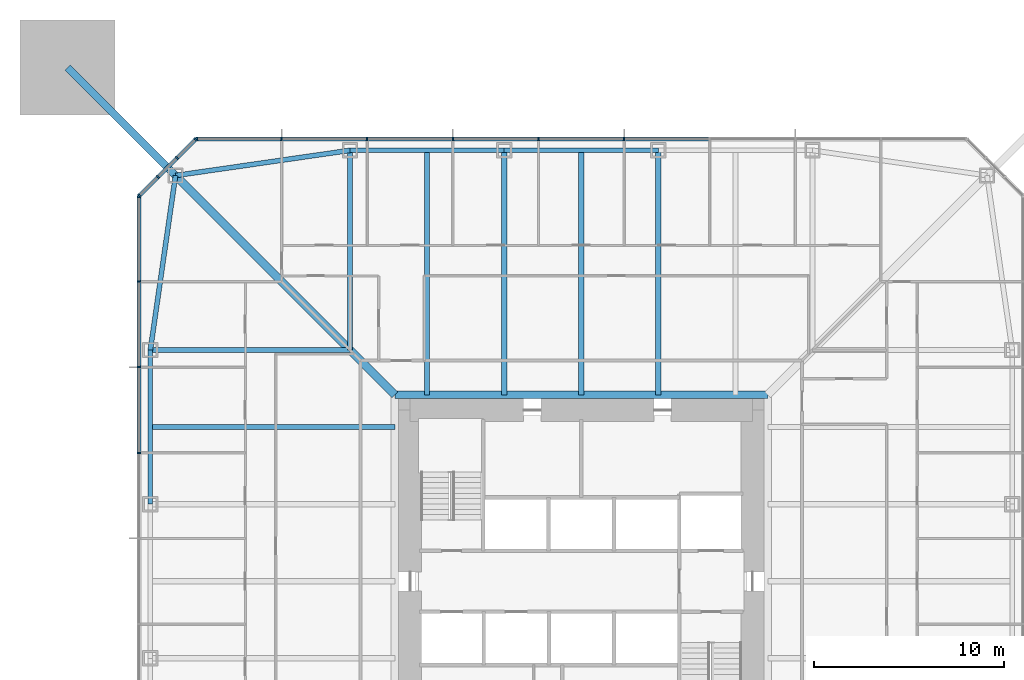
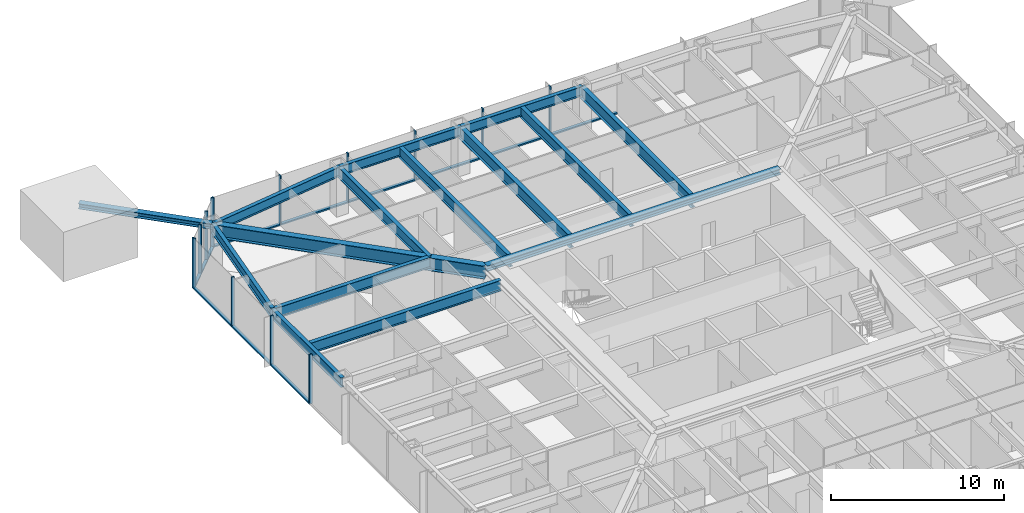
# One storey, part 6 of 26: 27 members, 14 beams, 3 elements without a shape of their own.
"""IFC4 building model written with IfcOpenShell, lengths in metres."""

from ifc_helpers import new_model, si_unit, direction, frame, origin, origin_2d, place, context, subcontext, project, spatial, rectangle, i_section, extrude, material, material_profile, profile_set, type_object, element, aggregate, save


model = new_model("IFC4")

# Units and contexts
model_context = context("Model", 3, precision=1e-05, world=origin(), true_north=direction((0.0, 1.0)))
body_context = subcontext(model_context, "Body", "Model", "MODEL_VIEW")
ifc_project = project(units=[si_unit("LENGTHUNIT", "METRE"), si_unit("AREAUNIT", "SQUARE_METRE"), si_unit("VOLUMEUNIT", "CUBIC_METRE"), si_unit("PLANEANGLEUNIT", "RADIAN"), si_unit("MASSUNIT", "GRAM", prefix="KILO")], contexts=[model_context])

# Site, building, storey
site_placement = place(None, origin())
site = spatial("IfcSite", under=ifc_project, at=site_placement, CompositionType="ELEMENT")
building_placement = place(site_placement, origin())
building = spatial("IfcBuilding", under=site, at=building_placement, Name="Iwan Alto Co-Living Towers", CompositionType="ELEMENT")
storey_placement = place(building_placement, frame((0.0, 0.0, 18.5)))
storey = spatial("IfcBuildingStorey", under=building, at=storey_placement, Name="L04", CompositionType="ELEMENT", Elevation=18.5)

# Curtain wall, members
ifc_material_1 = material(Name="Bronze aluminium unitised frame", Category="aluminium")
curtain_wall_type_1 = type_object("IfcCurtainWallType", Name="CURTAIN WALL CW-A", PredefinedType="NOTDEFINED", material=ifc_material_1)
curtain_wall_1_placement = place(storey_placement, origin())
curtain_wall_1 = element("IfcCurtainWall", 1, at=curtain_wall_1_placement, inside=storey, type_object=curtain_wall_type_1, Name="T1 curtain wall N L04", PredefinedType="NOTDEFINED")
ifc_material_2 = material(Name="Aluminium 6063-T6 bronze anodised", Category="aluminium")
ifc_material_profile_1 = material_profile(ifc_material_2, rectangle(XDim=0.199951171875, YDim=0.080078125, at=origin_2d()), Name="AL 80X200")
ifc_profile_set_1 = profile_set([ifc_material_profile_1], Name="Aluminium 6063-T6 bronze anodised")
member_type_1 = type_object("IfcMemberType", Name="CW-A MULLION 80X200", PredefinedType="MULLION", material=ifc_profile_set_1)
member_1_placement = place(storey_placement, frame((2.25, 23.25, 0.0), z_axis=(0.0, 0.0, 1.0), x_axis=(0.0, -1.0, 0.0)))
member_1 = element("IfcMember", 2, at=member_1_placement, type_object=member_type_1, Name="CW-A mullion 5", PredefinedType="MULLION", context=body_context, shape_type="SweptSolid", body=[
    extrude(rectangle(XDim=0.199951171875, YDim=0.080078125, at=origin_2d()), origin(), (0.0, 0.0, 1.0), 3.5),
])
member_2_placement = place(storey_placement, frame((-2.25, 23.25, 0.0), z_axis=(0.0, 0.0, 1.0), x_axis=(0.0, -1.0, 0.0)))
member_2 = element("IfcMember", 3, at=member_2_placement, type_object=member_type_1, Name="CW-A mullion 6", PredefinedType="MULLION", context=body_context, shape_type="SweptSolid", body=[
    extrude(rectangle(XDim=0.199951171875, YDim=0.080078125, at=origin_2d()), origin(), (0.0, 0.0, 1.0), 3.5),
])
member_3_placement = place(storey_placement, frame((-6.75, 23.25, 0.0), z_axis=(0.0, 0.0, 1.0), x_axis=(0.0, -1.0, 0.0)))
member_3 = element("IfcMember", 4, at=member_3_placement, type_object=member_type_1, Name="CW-A mullion 7", PredefinedType="MULLION", context=body_context, shape_type="SweptSolid", body=[
    extrude(rectangle(XDim=0.199951171875, YDim=0.080078125, at=origin_2d()), origin(), (0.0, 0.0, 1.0), 3.5),
])
member_4_placement = place(storey_placement, frame((-11.25, 23.25, 0.0), z_axis=(0.0, 0.0, 1.0), x_axis=(0.0, -1.0, 0.0)))
member_4 = element("IfcMember", 5, at=member_4_placement, type_object=member_type_1, Name="CW-A mullion 8", PredefinedType="MULLION", context=body_context, shape_type="SweptSolid", body=[
    extrude(rectangle(XDim=0.199951171875, YDim=0.080078125, at=origin_2d()), origin(), (0.0, 0.0, 1.0), 3.5),
])
member_5_placement = place(storey_placement, frame((-15.75, 23.25, 0.0), z_axis=(0.0, 0.0, 1.0), x_axis=(0.0, -1.0, 0.0)))
member_5 = element("IfcMember", 6, at=member_5_placement, type_object=member_type_1, Name="CW-A mullion 9", PredefinedType="MULLION", context=body_context, shape_type="SweptSolid", body=[
    extrude(rectangle(XDim=0.199951171875, YDim=0.080078125, at=origin_2d()), origin(), (0.0, 0.0, 1.0), 3.5),
])
member_6_placement = place(storey_placement, frame((-20.2099609375, 23.25, 0.0), z_axis=(0.0, 0.0, 1.0), x_axis=(0.0, -1.0, 0.0)))
member_6 = element("IfcMember", 7, at=member_6_placement, type_object=member_type_1, Name="CW-A mullion 10", PredefinedType="MULLION", context=body_context, shape_type="SweptSolid", body=[
    extrude(rectangle(XDim=0.199951171875, YDim=0.080078125, at=origin_2d()), origin(), (0.0, 0.0, 1.0), 3.5),
])

curtain_wall_2_placement = place(storey_placement, origin())
curtain_wall_2 = element("IfcCurtainWall", 8, at=curtain_wall_2_placement, inside=storey, type_object=curtain_wall_type_1, Name="T1 curtain wall W L04", PredefinedType="NOTDEFINED")
member_7_placement = place(storey_placement, frame((-23.25, 20.2099609375, 0.0), z_axis=(0.0, 0.0, 1.0), x_axis=(1.0, 0.0, 0.0)))
member_7 = element("IfcMember", 9, at=member_7_placement, type_object=member_type_1, Name="CW-A mullion 1", PredefinedType="MULLION", context=body_context, shape_type="SweptSolid", body=[
    extrude(rectangle(XDim=0.199951171875, YDim=0.080078125, at=origin_2d()), origin(), (0.0, 0.0, 1.0), 3.5),
])
member_8_placement = place(storey_placement, frame((-23.25, 15.75, 0.0), z_axis=(0.0, 0.0, 1.0), x_axis=(1.0, 0.0, 0.0)))
member_8 = element("IfcMember", 10, at=member_8_placement, type_object=member_type_1, Name="CW-A mullion 2", PredefinedType="MULLION", context=body_context, shape_type="SweptSolid", body=[
    extrude(rectangle(XDim=0.199951171875, YDim=0.080078125, at=origin_2d()), origin(), (0.0, 0.0, 1.0), 3.5),
])
member_9_placement = place(storey_placement, frame((-23.25, 11.25, 0.0), z_axis=(0.0, 0.0, 1.0), x_axis=(1.0, 0.0, 0.0)))
member_9 = element("IfcMember", 11, at=member_9_placement, type_object=member_type_1, Name="CW-A mullion 3", PredefinedType="MULLION", context=body_context, shape_type="SweptSolid", body=[
    extrude(rectangle(XDim=0.199951171875, YDim=0.080078125, at=origin_2d()), origin(), (0.0, 0.0, 1.0), 3.5),
])
member_10_placement = place(storey_placement, frame((-23.25, 6.75, 0.0), z_axis=(0.0, 0.0, 1.0), x_axis=(1.0, 0.0, 0.0)))
member_10 = element("IfcMember", 12, at=member_10_placement, type_object=member_type_1, Name="CW-A mullion 4", PredefinedType="MULLION", context=body_context, shape_type="SweptSolid", body=[
    extrude(rectangle(XDim=0.199951171875, YDim=0.080078125, at=origin_2d()), origin(), (0.0, 0.0, 1.0), 3.5),
])

# Member
ifc_material_3 = material(Name="Aluminium 6063-T6 bronze anodised", Category="aluminium")
ifc_material_profile_2 = material_profile(ifc_material_3, rectangle(XDim=0.199951171875, YDim=0.10009765625, at=origin_2d()), Name="AL 200X100")
ifc_profile_set_2 = profile_set([ifc_material_profile_2], Name="Aluminium 6063-T6 bronze anodised")
member_type_2 = type_object("IfcMemberType", Name="CW-A TRANSOM 200X100", PredefinedType="USERDEFINED", material=ifc_profile_set_2)
member_11_placement = place(storey_placement, frame((6.7099609375, 23.25, 0.050048828125), z_axis=(-1.0, 0.0, 0.0), x_axis=(0.0, -1.0, 0.0)))
member_11 = element("IfcMember", 13, at=member_11_placement, type_object=member_type_2, Name="CW-A transom 4.1", ObjectType="TRANSOM", PredefinedType="USERDEFINED", context=body_context, shape_type="SweptSolid", body=[
    extrude(rectangle(XDim=0.199951171875, YDim=0.10009765625, at=origin_2d()), origin(), (0.0, 0.0, 1.0), 4.419921875),
])

member_12_placement = place(storey_placement, frame((2.2099609375, 23.25, 0.050048828125), z_axis=(-1.0, 0.0, 0.0), x_axis=(0.0, -1.0, 0.0)))
member_12 = element("IfcMember", 14, at=member_12_placement, type_object=member_type_2, Name="CW-A transom 5.1", ObjectType="TRANSOM", PredefinedType="USERDEFINED", context=body_context, shape_type="SweptSolid", body=[
    extrude(rectangle(XDim=0.199951171875, YDim=0.10009765625, at=origin_2d()), origin(), (0.0, 0.0, 1.0), 4.419921875),
])

member_13_placement = place(storey_placement, frame((-2.2900390625, 23.25, 0.050048828125), z_axis=(-1.0, 0.0, 0.0), x_axis=(0.0, -1.0, 0.0)))
member_13 = element("IfcMember", 15, at=member_13_placement, type_object=member_type_2, Name="CW-A transom 6.1", ObjectType="TRANSOM", PredefinedType="USERDEFINED", context=body_context, shape_type="SweptSolid", body=[
    extrude(rectangle(XDim=0.199951171875, YDim=0.10009765625, at=origin_2d()), origin(), (0.0, 0.0, 1.0), 4.419921875),
])

member_14_placement = place(storey_placement, frame((-6.7900390625, 23.25, 0.050048828125), z_axis=(-1.0, 0.0, 0.0), x_axis=(0.0, -1.0, 0.0)))
member_14 = element("IfcMember", 16, at=member_14_placement, type_object=member_type_2, Name="CW-A transom 7.1", ObjectType="TRANSOM", PredefinedType="USERDEFINED", context=body_context, shape_type="SweptSolid", body=[
    extrude(rectangle(XDim=0.199951171875, YDim=0.10009765625, at=origin_2d()), origin(), (0.0, 0.0, 1.0), 4.419921875),
])

member_15_placement = place(storey_placement, frame((-11.2900390625, 23.25, 0.050048828125), z_axis=(-1.0, 0.0, 0.0), x_axis=(0.0, -1.0, 0.0)))
member_15 = element("IfcMember", 17, at=member_15_placement, type_object=member_type_2, Name="CW-A transom 8.1", ObjectType="TRANSOM", PredefinedType="USERDEFINED", context=body_context, shape_type="SweptSolid", body=[
    extrude(rectangle(XDim=0.199951171875, YDim=0.10009765625, at=origin_2d()), origin(), (0.0, 0.0, 1.0), 4.419921875),
])

member_16_placement = place(storey_placement, frame((-15.7900390625, 23.25, 0.050048828125), z_axis=(-1.0, 0.0, 0.0), x_axis=(0.0, -1.0, 0.0)))
member_16 = element("IfcMember", 18, at=member_16_placement, type_object=member_type_2, Name="CW-A transom 9.1", ObjectType="TRANSOM", PredefinedType="USERDEFINED", context=body_context, shape_type="SweptSolid", body=[
    extrude(rectangle(XDim=0.199951171875, YDim=0.10009765625, at=origin_2d()), origin(), (0.0, 0.0, 1.0), 4.3798828125),
])

aggregate(curtain_wall_1, [member_1, member_2, member_3, member_4, member_5, member_6, member_11, member_12, member_13, member_14, member_15, member_16])

member_17_placement = place(storey_placement, frame((-23.25, 20.169921875, 0.050048828125), z_axis=(0.0, -1.0, 0.0), x_axis=(1.0, 0.0, 0.0)))
member_17 = element("IfcMember", 19, at=member_17_placement, type_object=member_type_2, Name="CW-A transom 1.1", ObjectType="TRANSOM", PredefinedType="USERDEFINED", context=body_context, shape_type="SweptSolid", body=[
    extrude(rectangle(XDim=0.199951171875, YDim=0.10009765625, at=origin_2d()), origin(), (0.0, 0.0, 1.0), 4.3798828125),
])

member_18_placement = place(storey_placement, frame((-23.25, 15.7099609375, 0.050048828125), z_axis=(0.0, -1.0, 0.0), x_axis=(1.0, 0.0, 0.0)))
member_18 = element("IfcMember", 20, at=member_18_placement, type_object=member_type_2, Name="CW-A transom 2.1", ObjectType="TRANSOM", PredefinedType="USERDEFINED", context=body_context, shape_type="SweptSolid", body=[
    extrude(rectangle(XDim=0.199951171875, YDim=0.10009765625, at=origin_2d()), origin(), (0.0, 0.0, 1.0), 4.419921875),
])

member_19_placement = place(storey_placement, frame((-23.25, 11.2099609375, 0.050048828125), z_axis=(0.0, -1.0, 0.0), x_axis=(1.0, 0.0, 0.0)))
member_19 = element("IfcMember", 21, at=member_19_placement, type_object=member_type_2, Name="CW-A transom 3.1", ObjectType="TRANSOM", PredefinedType="USERDEFINED", context=body_context, shape_type="SweptSolid", body=[
    extrude(rectangle(XDim=0.199951171875, YDim=0.10009765625, at=origin_2d()), origin(), (0.0, 0.0, 1.0), 4.419921875),
])

aggregate(curtain_wall_2, [member_7, member_8, member_9, member_10, member_17, member_18, member_19])

# Curtain wall, members
ifc_material_4 = material(Name="Bronze aluminium unitised frame", Category="aluminium")
curtain_wall_type_2 = type_object("IfcCurtainWallType", Name="CURTAIN WALL CW-B", PredefinedType="NOTDEFINED", material=ifc_material_4)
curtain_wall_3_placement = place(storey_placement, origin())
curtain_wall_3 = element("IfcCurtainWall", 22, at=curtain_wall_3_placement, inside=storey, type_object=curtain_wall_type_2, Name="T1 chamfer curtain wall NW L04", PredefinedType="NOTDEFINED")
ifc_material_5 = material(Name="Aluminium 6063-T6 bronze anodised", Category="aluminium")
ifc_material_profile_3 = material_profile(ifc_material_5, rectangle(XDim=0.199951171875, YDim=0.080078125, at=origin_2d()), Name="AL 80X200")
ifc_profile_set_3 = profile_set([ifc_material_profile_3], Name="Aluminium 6063-T6 bronze anodised")
member_type_3 = type_object("IfcMemberType", Name="CW-B MULLION 80X200", PredefinedType="MULLION", material=ifc_profile_set_3)
member_20_placement = place(storey_placement, frame((-20.2783203125, 23.2216796875, 0.0), z_axis=(0.0, 0.0, 1.0), x_axis=(0.707106781187, -0.707106781187, 0.0)))
member_20 = element("IfcMember", 23, at=member_20_placement, type_object=member_type_3, Name="CW-B mullion 1", PredefinedType="MULLION", context=body_context, shape_type="SweptSolid", body=[
    extrude(rectangle(XDim=0.199951171875, YDim=0.080078125, at=origin_2d()), origin(), (0.0, 0.0, 1.0), 3.5),
])
member_21_placement = place(storey_placement, frame((-21.25, 22.25, 0.0), z_axis=(0.0, 0.0, 1.0), x_axis=(0.707106781187, -0.707106781187, 0.0)))
member_21 = element("IfcMember", 24, at=member_21_placement, type_object=member_type_3, Name="CW-B mullion 2", PredefinedType="MULLION", context=body_context, shape_type="SweptSolid", body=[
    extrude(rectangle(XDim=0.199951171875, YDim=0.080078125, at=origin_2d()), origin(), (0.0, 0.0, 1.0), 3.5),
])
member_22_placement = place(storey_placement, frame((-22.25, 21.25, 0.0), z_axis=(0.0, 0.0, 1.0), x_axis=(0.707106781187, -0.707106781187, 0.0)))
member_22 = element("IfcMember", 25, at=member_22_placement, type_object=member_type_3, Name="CW-B mullion 3", PredefinedType="MULLION", context=body_context, shape_type="SweptSolid", body=[
    extrude(rectangle(XDim=0.199951171875, YDim=0.080078125, at=origin_2d()), origin(), (0.0, 0.0, 1.0), 3.5),
])
member_23_placement = place(storey_placement, frame((-23.2216796875, 20.2783203125, 0.0), z_axis=(0.0, 0.0, 1.0), x_axis=(0.707106781187, -0.707106781187, 0.0)))
member_23 = element("IfcMember", 26, at=member_23_placement, type_object=member_type_3, Name="CW-B mullion 4", PredefinedType="MULLION", context=body_context, shape_type="SweptSolid", body=[
    extrude(rectangle(XDim=0.199951171875, YDim=0.080078125, at=origin_2d()), origin(), (0.0, 0.0, 1.0), 3.5),
])
ifc_material_6 = material(Name="Aluminium 6063-T6 bronze anodised", Category="aluminium")
ifc_material_profile_4 = material_profile(ifc_material_6, rectangle(XDim=0.199951171875, YDim=0.10009765625, at=origin_2d()), Name="AL 200X100")
ifc_profile_set_4 = profile_set([ifc_material_profile_4], Name="Aluminium 6063-T6 bronze anodised")
member_type_4 = type_object("IfcMemberType", Name="CW-B TRANSOM 200X100", PredefinedType="USERDEFINED", material=ifc_profile_set_4)
member_24_placement = place(storey_placement, frame((-20.306640625, 23.193359375, 0.050048828125), z_axis=(-0.707106781187, -0.707106781187, 0.0), x_axis=(0.707106781187, -0.707106781187, 0.0)))
member_24 = element("IfcMember", 27, at=member_24_placement, type_object=member_type_4, Name="CW-B transom 1.1", ObjectType="TRANSOM", PredefinedType="USERDEFINED", context=body_context, shape_type="SweptSolid", body=[
    extrude(rectangle(XDim=0.199951171875, YDim=0.10009765625, at=origin_2d()), origin(), (0.0, 0.0, 1.0), 1.2939453125),
])
member_25_placement = place(storey_placement, frame((-21.2783203125, 22.2216796875, 0.050048828125), z_axis=(-0.707106781187, -0.707106781187, 0.0), x_axis=(0.707106781187, -0.707106781187, 0.0)))
member_25 = element("IfcMember", 28, at=member_25_placement, type_object=member_type_4, Name="CW-B transom 2.1", ObjectType="TRANSOM", PredefinedType="USERDEFINED", context=body_context, shape_type="SweptSolid", body=[
    extrude(rectangle(XDim=0.199951171875, YDim=0.10009765625, at=origin_2d()), origin(), (0.0, 0.0, 1.0), 1.334228515625),
])
member_26_placement = place(storey_placement, frame((-22.2783203125, 21.2216796875, 0.050048828125), z_axis=(-0.707106781187, -0.707106781187, 0.0), x_axis=(0.707106781187, -0.707106781187, 0.0)))
member_26 = element("IfcMember", 29, at=member_26_placement, type_object=member_type_4, Name="CW-B transom 3.1", ObjectType="TRANSOM", PredefinedType="USERDEFINED", context=body_context, shape_type="SweptSolid", body=[
    extrude(rectangle(XDim=0.199951171875, YDim=0.10009765625, at=origin_2d()), origin(), (0.0, 0.0, 1.0), 1.2939453125),
])
aggregate(curtain_wall_3, [member_20, member_21, member_22, member_23, member_24, member_25, member_26])

# Beams
ifc_material_7 = material(Name="Steel ASTM A992 Gr 50", Category="steel")
ifc_material_profile_5 = material_profile(ifc_material_7, i_section(OverallWidth=0.40380859375, OverallDepth=0.406494140625, WebThickness=0.027099609375, FlangeThickness=0.043701171875, at=origin_2d()), Name="W14X233")
ifc_profile_set_5 = profile_set([ifc_material_profile_5], Name="Steel ASTM A992 Gr 50")
beam_type_1 = type_object("IfcBeamType", Name="T1 CORE LEDGER BEAM W14X233", PredefinedType="BEAM", material=ifc_profile_set_5)
beam_1_placement = place(storey_placement, frame((9.802001953125, 9.802001953125, 3.06689453125), z_axis=(-1.0, 0.0, 0.0), x_axis=(0.0, -1.0, 0.0)))
element("IfcBeam", 30, at=beam_1_placement, inside=storey, type_object=beam_type_1, Name="T1 core ledger beam N L05", PredefinedType="BEAM", context=body_context, shape_type="SweptSolid", body=[
    extrude(i_section(OverallWidth=0.40380859375, OverallDepth=0.406494140625, WebThickness=0.027099609375, FlangeThickness=0.043701171875, at=origin_2d()), origin(), (0.0, 0.0, 1.0), 19.60400390625),
])
ifc_material_8 = material(Name="Steel ASTM A992 Gr 50", Category="steel")
ifc_material_profile_6 = material_profile(ifc_material_8, i_section(OverallWidth=0.419189453125, OverallDepth=0.927001953125, WebThickness=0.019287109375, FlangeThickness=0.031982421875, at=origin_2d()), Name="W36X231")
ifc_profile_set_6 = profile_set([ifc_material_profile_6], Name="Steel ASTM A992 Gr 50")
beam_type_2 = type_object("IfcBeamType", Name="T1 CORNER GIRDER W36X231", PredefinedType="BEAM", material=ifc_profile_set_6)
beam_2_placement = place(storey_placement, frame((-21.32568359375, 21.32568359375, 2.806396484375), z_axis=(0.707106781187, -0.707106781187, 0.0), x_axis=(0.707106781187, 0.707106781187, 0.0)))
element("IfcBeam", 31, at=beam_2_placement, inside=storey, type_object=beam_type_2, Name="T1 corner girder CNW L05", PredefinedType="BEAM", context=body_context, shape_type="SweptSolid", body=[
    extrude(i_section(OverallWidth=0.419189453125, OverallDepth=0.927001953125, WebThickness=0.019287109375, FlangeThickness=0.031982421875, at=origin_2d()), origin(), (0.0, 0.0, 1.0), 16.296875),
])
ifc_material_9 = material(Name="Steel ASTM A992 Gr 50", Category="steel")
ifc_material_profile_7 = material_profile(ifc_material_9, i_section(OverallWidth=0.25390625, OverallDepth=0.683349609375, WebThickness=0.012451171875, FlangeThickness=0.018798828125, at=origin_2d()), Name="W27X94")
ifc_profile_set_7 = profile_set([ifc_material_profile_7], Name="Steel ASTM A992 Gr 50")
beam_type_3 = type_object("IfcBeamType", Name="T1 EDGE BEAM W27X94", PredefinedType="BEAM", material=ifc_profile_set_7)
beam_3_placement = place(storey_placement, frame((4.050048828125, 22.64990234375, 2.928466796875), z_axis=(-1.0, 0.0, 0.0), x_axis=(0.0, -1.0, 0.0)))
element("IfcBeam", 32, at=beam_3_placement, inside=storey, type_object=beam_type_3, Name="T1 edge beam N2 L05", PredefinedType="BEAM", context=body_context, shape_type="SweptSolid", body=[
    extrude(i_section(OverallWidth=0.25390625, OverallDepth=0.683349609375, WebThickness=0.012451171875, FlangeThickness=0.018798828125, at=origin_2d()), origin(), (0.0, 0.0, 1.0), 8.10009765625),
])
beam_4_placement = place(storey_placement, frame((-4.050048828125, 22.64990234375, 2.928466796875), z_axis=(-1.0, 0.0, 0.0), x_axis=(0.0, -1.0, 0.0)))
element("IfcBeam", 33, at=beam_4_placement, inside=storey, type_object=beam_type_3, Name="T1 edge beam N3 L05", PredefinedType="BEAM", context=body_context, shape_type="SweptSolid", body=[
    extrude(i_section(OverallWidth=0.25390625, OverallDepth=0.683349609375, WebThickness=0.012451171875, FlangeThickness=0.018798828125, at=origin_2d()), origin(), (0.0, 0.0, 1.0), 8.099853515625),
])
for number, where, z_axis, x_axis, name in (
    (34, (-12.14990234375, 22.64990234375, 2.928466796875), (-0.989746234347, -0.142836940589, 0.0), (0.142836940589, -0.989746234347, 0.0), "T1 edge beam N4 L05"),
    (35, (-21.32568359375, 21.32568359375, 2.928466796875), (-0.142836940589, -0.989746234347, 0.0), (0.989746234347, -0.142836940589, 0.0), "T1 edge beam CNW L05"),
):
    element("IfcBeam", number, at=place(storey_placement, frame(where, z_axis=z_axis, x_axis=x_axis)), inside=storey, type_object=beam_type_3, Name=name, PredefinedType="BEAM", context=body_context, shape_type="SweptSolid", body=[
        extrude(i_section(OverallWidth=0.25390625, OverallDepth=0.683349609375, WebThickness=0.012451171875, FlangeThickness=0.018798828125, at=origin_2d()), origin(), (0.0, 0.0, 1.0), 9.270751953125),
    ])
beam_5_placement = place(storey_placement, frame((-22.64990234375, 12.14990234375, 2.928466796875), z_axis=(0.0, -1.0, 0.0), x_axis=(1.0, 0.0, 0.0)))
element("IfcBeam", 36, at=beam_5_placement, inside=storey, type_object=beam_type_3, Name="T1 edge beam W1 L05", PredefinedType="BEAM", context=body_context, shape_type="SweptSolid", body=[
    extrude(i_section(OverallWidth=0.25390625, OverallDepth=0.683349609375, WebThickness=0.012451171875, FlangeThickness=0.018798828125, at=origin_2d()), origin(), (0.0, 0.0, 1.0), 8.099853515625),
])

# Member
ifc_material_10 = material(Name="Steel ASTM A992 Gr 50", Category="steel")
ifc_material_profile_8 = material_profile(ifc_material_10, i_section(OverallWidth=0.393798828125, OverallDepth=0.3759765625, WebThickness=0.017333984375, FlangeThickness=0.027587890625, at=origin_2d()), Name="W14X145")
ifc_profile_set_8 = profile_set([ifc_material_profile_8], Name="Steel ASTM A992 Gr 50")
member_type_5 = type_object("IfcMemberType", Name="T1 MEGA COLUMN FLOOR TIE W14X145", PredefinedType="STRUT", material=ifc_profile_set_8)
member_27_placement = place(storey_placement, frame((-27.0, 27.0, 3.08203125), z_axis=(0.707106781187, -0.707106781187, 0.0), x_axis=(0.707106781187, 0.707106781187, 0.0)))
element("IfcMember", 37, at=member_27_placement, inside=storey, type_object=member_type_5, Name="T1 mega column floor tie NW L05", PredefinedType="STRUT", context=body_context, shape_type="SweptSolid", body=[
    extrude(i_section(OverallWidth=0.393798828125, OverallDepth=0.3759765625, WebThickness=0.017333984375, FlangeThickness=0.027587890625, at=origin_2d()), origin(), (0.0, 0.0, 1.0), 8.024658203125),
])

# Beams
ifc_material_11 = material(Name="Steel ASTM A992 Gr 50", Category="steel")
ifc_material_profile_9 = material_profile(ifc_material_11, i_section(OverallWidth=0.2666015625, OverallDepth=0.761962890625, WebThickness=0.014404296875, FlangeThickness=0.021484375, at=origin_2d()), Name="W30X116")
ifc_profile_set_9 = profile_set([ifc_material_profile_9], Name="Steel ASTM A992 Gr 50")
beam_type_4 = type_object("IfcBeamType", Name="T1 RADIAL BEAM W30X116", PredefinedType="BEAM", material=ifc_profile_set_9)
for number, where, z_axis, x_axis, name in (
    (38, (-12.14990234375, 22.64990234375, 2.888916015625), (0.0, -1.0, 0.0), (1.0, 0.0, 0.0), "T1 radial beam N4 L05"),
    (39, (-22.64990234375, 12.14990234375, 2.888916015625), (1.0, 0.0, 0.0), (0.0, 1.0, 0.0), "T1 radial beam W1 L05"),
):
    element("IfcBeam", number, at=place(storey_placement, frame(where, z_axis=z_axis, x_axis=x_axis)), inside=storey, type_object=beam_type_4, Name=name, PredefinedType="BEAM", context=body_context, shape_type="SweptSolid", body=[
        extrude(i_section(OverallWidth=0.2666015625, OverallDepth=0.761962890625, WebThickness=0.014404296875, FlangeThickness=0.021484375, at=origin_2d()), origin(), (0.0, 0.0, 1.0), 10.5),
    ])
ifc_material_12 = material(Name="Steel ASTM A992 Gr 50", Category="steel")
ifc_material_profile_10 = material_profile(ifc_material_12, i_section(OverallWidth=0.2919921875, OverallDepth=0.8408203125, WebThickness=0.0146484375, FlangeThickness=0.021728515625, at=origin_2d()), Name="W33X130")
ifc_profile_set_10 = profile_set([ifc_material_profile_10], Name="Steel ASTM A992 Gr 50")
beam_type_5 = type_object("IfcBeamType", Name="T1 RADIAL BEAM W33X130", PredefinedType="BEAM", material=ifc_profile_set_10)
for number, where, z_axis, x_axis, name in (
    (40, (4.050048828125, 22.64990234375, 2.849609375), (0.0, -1.0, 0.0), (1.0, 0.0, 0.0), "T1 radial beam N2 L05"),
    (41, (-4.050048828125, 22.64990234375, 2.849609375), (0.0, -1.0, 0.0), (1.0, 0.0, 0.0), "T1 radial beam N3 L05"),
):
    element("IfcBeam", number, at=place(storey_placement, frame(where, z_axis=z_axis, x_axis=x_axis)), inside=storey, type_object=beam_type_5, Name=name, PredefinedType="BEAM", context=body_context, shape_type="SweptSolid", body=[
        extrude(i_section(OverallWidth=0.2919921875, OverallDepth=0.8408203125, WebThickness=0.0146484375, FlangeThickness=0.021728515625, at=origin_2d()), origin(), (0.0, 0.0, 1.0), 12.847900390625),
    ])
ifc_material_13 = material(Name="Steel ASTM A992 Gr 50", Category="steel")
ifc_material_profile_11 = material_profile(ifc_material_13, i_section(OverallWidth=0.2666015625, OverallDepth=0.761962890625, WebThickness=0.014404296875, FlangeThickness=0.021484375, at=origin_2d()), Name="W30X116")
ifc_profile_set_11 = profile_set([ifc_material_profile_11], Name="Steel ASTM A992 Gr 50")
beam_type_6 = type_object("IfcBeamType", Name="T1 SECONDARY BEAM W30X116", PredefinedType="JOIST", material=ifc_profile_set_11)
for number, where, z_axis, x_axis, name in (
    (42, (0.0, 22.64990234375, 2.888916015625), (0.0, -1.0, 0.0), (1.0, 0.0, 0.0), "T1 secondary beam N2 L05"),
    (43, (-8.10009765625, 22.64990234375, 2.888916015625), (0.0, -1.0, 0.0), (1.0, 0.0, 0.0), "T1 secondary beam N3 L05"),
    (44, (-22.64990234375, 8.10009765625, 2.888916015625), (1.0, 0.0, 0.0), (0.0, 1.0, 0.0), "T1 secondary beam W1 L05"),
):
    element("IfcBeam", number, at=place(storey_placement, frame(where, z_axis=z_axis, x_axis=x_axis)), inside=storey, type_object=beam_type_6, Name=name, PredefinedType="JOIST", context=body_context, shape_type="SweptSolid", body=[
        extrude(i_section(OverallWidth=0.2666015625, OverallDepth=0.761962890625, WebThickness=0.014404296875, FlangeThickness=0.021484375, at=origin_2d()), origin(), (0.0, 0.0, 1.0), 12.847900390625),
    ])

save(model, "model.ifc")
